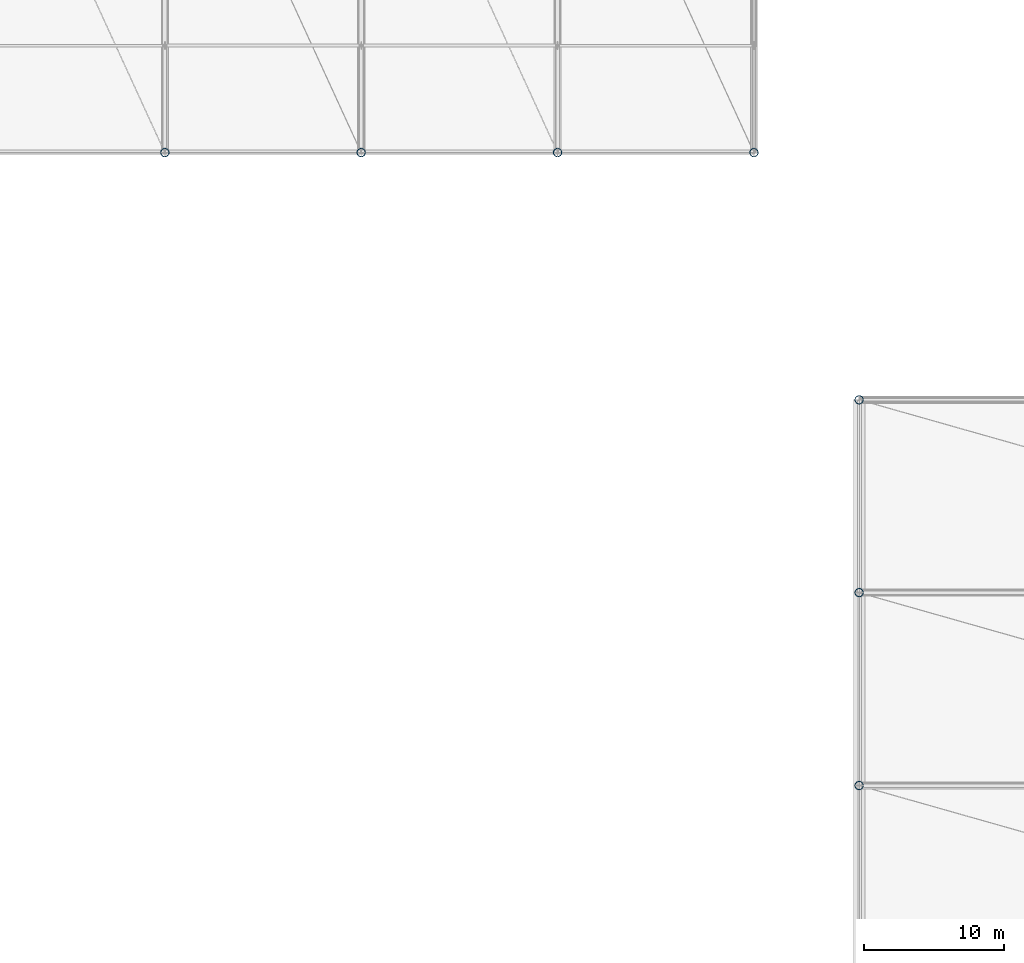
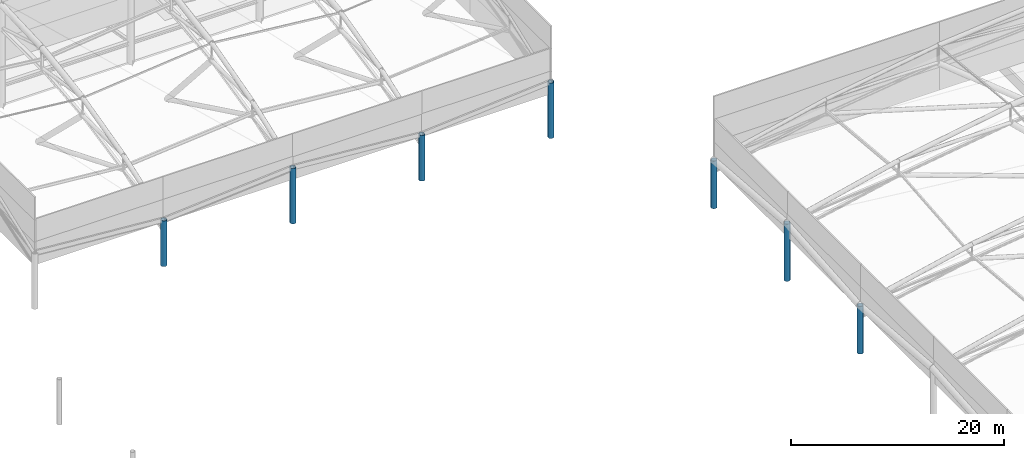
# One storey, part 6 of 113: 7 columns.
"""IFC4 building model written with IfcOpenShell, lengths in metres."""

from ifc_helpers import new_model, si_unit, direction, frame, origin, origin_2d, place, context, subcontext, project, spatial, hollow_circle, extrude, material, material_profile, profile_set, type_object, element, save


model = new_model("IFC4")

# Units and contexts
model_context = context("Model", 3, precision=1e-05, world=origin(), true_north=direction((0.0, 1.0)))
body_context = subcontext(model_context, "Body", "Model", "MODEL_VIEW")
ifc_project = project(units=[si_unit("LENGTHUNIT", "METRE"), si_unit("AREAUNIT", "SQUARE_METRE"), si_unit("VOLUMEUNIT", "CUBIC_METRE"), si_unit("PLANEANGLEUNIT", "RADIAN"), si_unit("MASSUNIT", "GRAM", prefix="KILO")], contexts=[model_context])

# Site, building, storey
site_placement = place(None, origin())
site = spatial("IfcSite", under=ifc_project, at=site_placement, CompositionType="ELEMENT")
building_placement = place(site_placement, origin())
building = spatial("IfcBuilding", under=site, at=building_placement, Name="Linyun Crest Stadium", CompositionType="ELEMENT")
storey_placement = place(building_placement, frame((0.0, 0.0, 26.39990234375)))
storey = spatial("IfcBuildingStorey", under=building, at=storey_placement, Name="L06", CompositionType="ELEMENT", Elevation=26.39990234375)

# Columns
ifc_material = material(Name="Steel Q420C", Category="steel")
ifc_material_profile = material_profile(ifc_material, hollow_circle(Radius=0.304931640625, WallThickness=0.030029296875, at=origin_2d()), Name="CHS 610x30")
ifc_profile_set = profile_set([ifc_material_profile], Name="Steel Q420C")
column_type = type_object("IfcColumnType", Name="MST01", PredefinedType="USERDEFINED", material=ifc_profile_set)
column_1_placement = place(storey_placement, frame((35.5, 15.875, 0.0), z_axis=(0.0, 0.0, 1.0), x_axis=(1.0, 0.0, 0.0)))
element("IfcColumn", 1, at=column_1_placement, inside=storey, type_object=column_type, Name="Roof mast colonnade pier MST01 L06 28", ObjectType="ROOF MAST", PredefinedType="USERDEFINED", context=body_context, shape_type="SweptSolid", body=[
    extrude(hollow_circle(Radius=0.304931640625, WallThickness=0.030029296875, at=origin_2d()), origin(), (0.0, 0.0, 1.0), 5.447998046875),
])
column_2_placement = place(storey_placement, frame((35.5, 29.625, 0.0), z_axis=(0.0, 0.0, 1.0), x_axis=(1.0, 0.0, 0.0)))
element("IfcColumn", 2, at=column_2_placement, inside=storey, type_object=column_type, Name="Roof mast colonnade pier MST01 L06 30", ObjectType="ROOF MAST", PredefinedType="USERDEFINED", context=body_context, shape_type="SweptSolid", body=[
    extrude(hollow_circle(Radius=0.304931640625, WallThickness=0.030029296875, at=origin_2d()), origin(), (0.0, 0.0, 1.0), 6.552978515625),
])
column_3_placement = place(storey_placement, frame((35.5, 43.375, 0.0), z_axis=(0.0, 0.0, 1.0), x_axis=(1.0, 0.0, 0.0)))
element("IfcColumn", 3, at=column_3_placement, inside=storey, type_object=column_type, Name="Roof mast colonnade pier MST01 L06 32", ObjectType="ROOF MAST", PredefinedType="USERDEFINED", context=body_context, shape_type="SweptSolid", body=[
    extrude(hollow_circle(Radius=0.304931640625, WallThickness=0.030029296875, at=origin_2d()), origin(), (0.0, 0.0, 1.0), 5.447998046875),
])
column_4_placement = place(storey_placement, frame((-14.0, 61.0, 0.0), z_axis=(0.0, 0.0, 1.0), x_axis=(1.0, 0.0, 0.0)))
element("IfcColumn", 4, at=column_4_placement, inside=storey, type_object=column_type, Name="Roof mast colonnade pier MST01 L06 36", ObjectType="ROOF MAST", PredefinedType="USERDEFINED", context=body_context, shape_type="SweptSolid", body=[
    extrude(hollow_circle(Radius=0.304931640625, WallThickness=0.030029296875, at=origin_2d()), origin(), (0.0, 0.0, 1.0), 5.248046875),
])
column_5_placement = place(storey_placement, frame((0.0, 61.0, 0.0), z_axis=(0.0, 0.0, 1.0), x_axis=(1.0, 0.0, 0.0)))
element("IfcColumn", 5, at=column_5_placement, inside=storey, type_object=column_type, Name="Roof mast colonnade pier MST01 L06 38", ObjectType="ROOF MAST", PredefinedType="USERDEFINED", context=body_context, shape_type="SweptSolid", body=[
    extrude(hollow_circle(Radius=0.304931640625, WallThickness=0.030029296875, at=origin_2d()), origin(), (0.0, 0.0, 1.0), 6.35302734375),
])
column_6_placement = place(storey_placement, frame((14.0, 61.0, 0.0), z_axis=(0.0, 0.0, 1.0), x_axis=(1.0, 0.0, 0.0)))
element("IfcColumn", 6, at=column_6_placement, inside=storey, type_object=column_type, Name="Roof mast colonnade pier MST01 L06 40", ObjectType="ROOF MAST", PredefinedType="USERDEFINED", context=body_context, shape_type="SweptSolid", body=[
    extrude(hollow_circle(Radius=0.304931640625, WallThickness=0.030029296875, at=origin_2d()), origin(), (0.0, 0.0, 1.0), 5.248046875),
])
column_7_placement = place(storey_placement, frame((28.0, 61.0, 0.0), z_axis=(0.0, 0.0, 1.0), x_axis=(1.0, 0.0, 0.0)))
element("IfcColumn", 7, at=column_7_placement, inside=storey, type_object=column_type, Name="Roof mast colonnade pier MST01 L06 42", ObjectType="ROOF MAST", PredefinedType="USERDEFINED", context=body_context, shape_type="SweptSolid", body=[
    extrude(hollow_circle(Radius=0.304931640625, WallThickness=0.030029296875, at=origin_2d()), origin(), (0.0, 0.0, 1.0), 6.35302734375),
])

save(model, "model.ifc")
